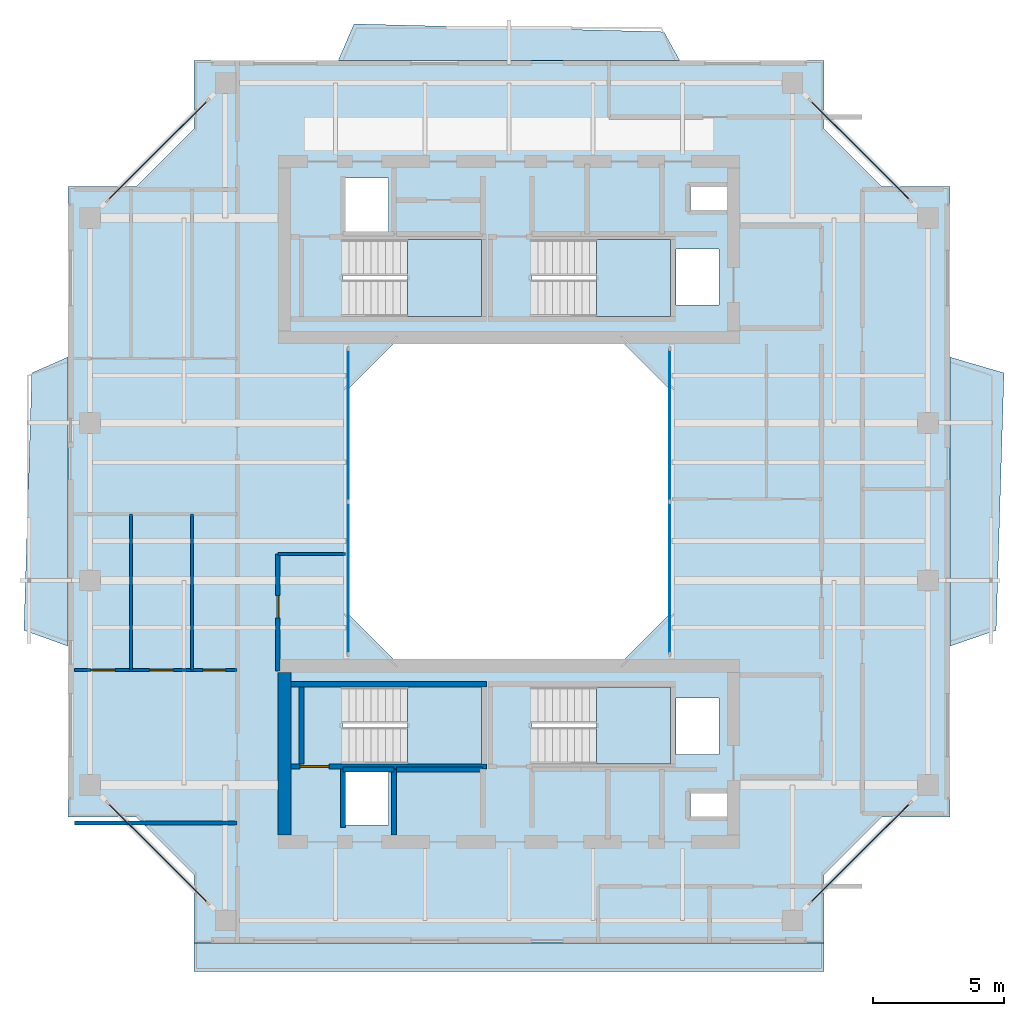
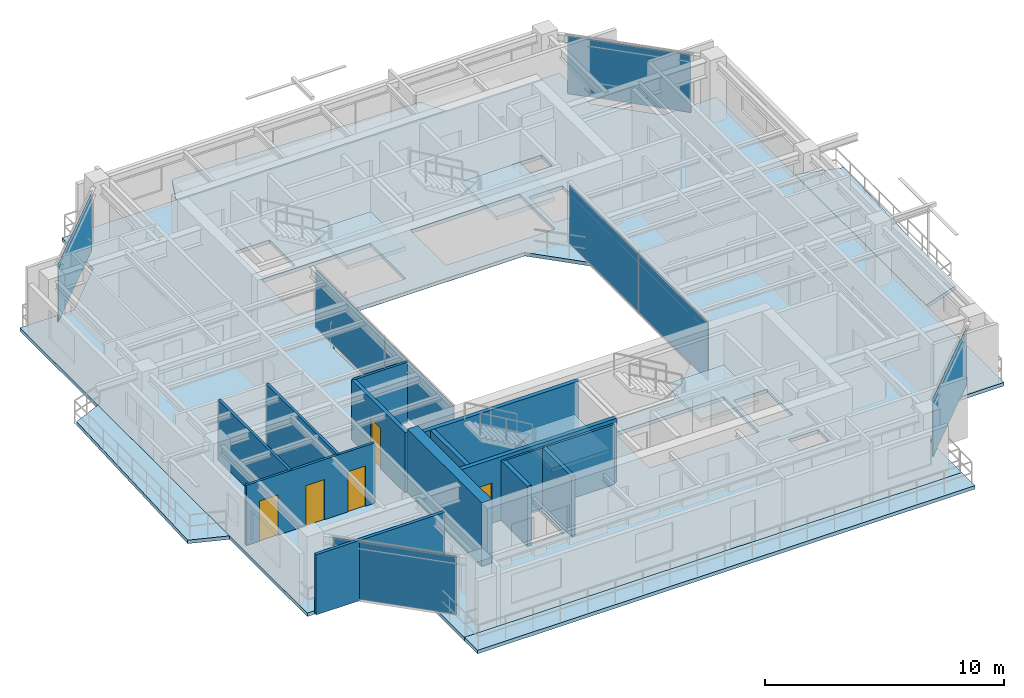
# One storey, part 9 of 16: 14 walls, 9 slabs, 8 plates, 5 doors, 5 openings, 10 elements without a shape of their own.
"""IFC4 building model written with IfcOpenShell, lengths in metres."""

from ifc_helpers import new_model, si_unit, direction, frame, frame_2d, origin, origin_2d, place, context, subcontext, project, spatial, polyline, rectangle, outline, extrude, source, transform, mapped, material, layer, layer_set, type_object, element, fill, aggregate, save


model = new_model("IFC4")

# Units and contexts
model_context = context("Model", 3, precision=1e-05, world=origin(), true_north=direction((0.0, 1.0)))
body_context = subcontext(model_context, "Body", "Model", "MODEL_VIEW")
ifc_project = project(units=[si_unit("LENGTHUNIT", "METRE"), si_unit("AREAUNIT", "SQUARE_METRE"), si_unit("VOLUMEUNIT", "CUBIC_METRE"), si_unit("PLANEANGLEUNIT", "RADIAN"), si_unit("MASSUNIT", "GRAM", prefix="KILO"), si_unit("THERMODYNAMICTEMPERATUREUNIT", "KELVIN"), si_unit("POWERUNIT", "WATT")], contexts=[model_context])

# Site, building, storey
site_placement = place(None, origin())
site = spatial("IfcSite", under=ifc_project, at=site_placement, CompositionType="ELEMENT")
building_placement = place(site_placement, origin())
building = spatial("IfcBuilding", under=site, at=building_placement, Name="Qiaomeng Ring Towers", CompositionType="ELEMENT")
storey_placement = place(building_placement, frame((0.0, 0.0, 190.5)))
storey = spatial("IfcBuildingStorey", under=building, at=storey_placement, Name="L55", CompositionType="ELEMENT", Elevation=190.5)

# Slabs
ifc_material_1 = material(Name="Concrete C40", Category="concrete")
ifc_layer_1 = layer(ifc_material_1, 0.179931640625, Name="Concrete C40")
ifc_layer_set_1 = layer_set([ifc_layer_1], Name="Concrete C40")
slab_type_1 = type_object("IfcSlabType", Name="STR-SL-180", PredefinedType="FLOOR", material=ifc_layer_set_1)
slab_1_placement = place(storey_placement, frame((0.0, 0.0, -0.179931640625)))
element("IfcSlab", 1, at=slab_1_placement, inside=storey, type_object=slab_type_1, Name="L55 Tower 1 Annular Floor Slab", PredefinedType="FLOOR", context=body_context, shape_type="SweptSolid", body=[
    extrude(outline(polyline([(7.0, 6.199951171875), (31.0, 6.199951171875), (31.0, 8.800048828125), (33.199951171875, 11.0), (35.800048828125, 11.0), (35.800048828125, 35.0), (33.199951171875, 35.0), (31.0, 37.199951171875), (31.0, 39.800048828125), (7.0, 39.800048828125), (7.0, 37.199951171875), (4.800048828125, 35.0), (2.199951171875, 35.0), (2.199951171875, 11.0), (4.800048828125, 11.0), (7.0, 8.800048828125), (7.0, 6.199951171875)]), holes=[polyline([(12.780029296875, 10.679931640625), (12.780029296875, 12.820068359375), (14.419921875, 12.820068359375), (14.419921875, 10.679931640625), (12.780029296875, 10.679931640625)]), polyline([(12.679931640625, 13.010009765625), (12.679931640625, 15.949951171875), (17.949951171875, 15.949951171875), (17.949951171875, 13.010009765625), (12.679931640625, 13.010009765625)]), polyline([(23.199951171875, 29.199951171875), (25.199951171875, 27.199951171875), (25.199951171875, 18.800048828125), (23.199951171875, 16.800048828125), (14.800048828125, 16.800048828125), (12.800048828125, 18.800048828125), (12.800048828125, 27.199951171875), (14.800048828125, 29.199951171875), (23.199951171875, 29.199951171875)]), polyline([(12.679931640625, 32.989990234375), (17.949951171875, 32.989990234375), (17.949951171875, 30.050048828125), (12.679931640625, 30.050048828125), (12.679931640625, 32.989990234375)]), polyline([(19.8798828125, 32.989990234375), (25.14990234375, 32.989990234375), (25.14990234375, 30.050048828125), (19.8798828125, 30.050048828125), (19.8798828125, 32.989990234375)]), polyline([(12.780029296875, 33.179931640625), (12.780029296875, 35.320068359375), (14.419921875, 35.320068359375), (14.419921875, 33.179931640625), (12.780029296875, 33.179931640625)]), polyline([(25.919921875, 11.89990234375), (27.360107421875, 11.89990234375), (27.360107421875, 11.0), (25.919921875, 11.0), (25.919921875, 11.89990234375)]), polyline([(25.360107421875, 15.52001953125), (27.0, 15.52001953125), (27.0, 13.3798828125), (25.360107421875, 13.3798828125), (25.360107421875, 15.52001953125)]), polyline([(19.8798828125, 13.010009765625), (19.8798828125, 15.949951171875), (25.14990234375, 15.949951171875), (25.14990234375, 13.010009765625), (19.8798828125, 13.010009765625)]), polyline([(25.360107421875, 32.6201171875), (27.0, 32.6201171875), (27.0, 30.47998046875), (25.360107421875, 30.47998046875), (25.360107421875, 32.6201171875)]), polyline([(25.919921875, 35.0), (27.360107421875, 35.0), (27.360107421875, 34.10009765625), (25.919921875, 34.10009765625), (25.919921875, 35.0)])]), origin(), (0.0, 0.0, 1.0), 0.179931640625),
])
ifc_layer_2 = layer(ifc_material_1, 0.179931640625, Name="Concrete C40")
ifc_layer_set_2 = layer_set([ifc_layer_2], Name="Concrete C40")
slab_type_2 = type_object("IfcSlabType", Name="STR-SL-BAL", PredefinedType="FLOOR", material=ifc_layer_set_2)
slab_2_placement = place(storey_placement, frame((0.0, 0.0, -0.179931640625)))
element("IfcSlab", 2, at=slab_2_placement, inside=storey, type_object=slab_type_2, Name="L55 Tower 1 E Faceted Balcony Slab", PredefinedType="FLOOR", context=body_context, shape_type="SweptSolid", body=[
    extrude(outline(polyline([(37.85009765625, 27.89990234375), (37.550048828125, 18.10009765625), (35.800048828125, 17.5), (35.800048828125, 28.5), (37.85009765625, 27.89990234375)])), origin(), (0.0, 0.0, 1.0), 0.179931640625),
])
slab_3_placement = place(storey_placement, frame((0.0, 0.0, -0.179931640625)))
element("IfcSlab", 3, at=slab_3_placement, inside=storey, type_object=slab_type_2, Name="L55 Tower 1 N Faceted Balcony Slab", PredefinedType="FLOOR", context=body_context, shape_type="SweptSolid", body=[
    extrude(outline(polyline([(12.5, 39.800048828125), (13.10009765625, 41.18994140625), (24.89990234375, 40.889892578125), (25.5, 39.800048828125), (12.5, 39.800048828125)])), origin(), (0.0, 0.0, 1.0), 0.179931640625),
])
slab_4_placement = place(storey_placement, frame((0.0, 0.0, -0.179931640625)))
element("IfcSlab", 4, at=slab_4_placement, inside=storey, type_object=slab_type_2, Name="L55 Tower 1 W Faceted Balcony Slab", PredefinedType="FLOOR", context=body_context, shape_type="SweptSolid", body=[
    extrude(outline(polyline([(0.530029296875, 18.10009765625), (0.830078125, 27.89990234375), (2.199951171875, 28.5), (2.199951171875, 17.5), (0.530029296875, 18.10009765625)])), origin(), (0.0, 0.0, 1.0), 0.179931640625),
])

# Stair, slab
ifc_material_2 = material(Name="Precast concrete C40", Category="concrete")
stair_type = type_object("IfcStairType", Name="ARC-ST-325", PredefinedType="HALF_TURN_STAIR", material=ifc_material_2)
stair_1_placement = place(storey_placement, origin())
stair_1 = element("IfcStair", 5, at=stair_1_placement, inside=storey, type_object=stair_type, Name="L55 Tower 1 North Stair 1", PredefinedType="HALF_TURN_STAIR")
ifc_layer_3 = layer(ifc_material_1, 0.199951171875, Name="Concrete C40")
ifc_layer_set_3 = layer_set([ifc_layer_3], Name="Concrete C40")
slab_type_3 = type_object("IfcSlabType", Name="STR-SL-LANDING", PredefinedType="LANDING", material=ifc_layer_set_3)
slab_5_placement = place(storey_placement, frame((0.0, 0.0, 1.425048828125)))
slab_5 = element("IfcSlab", 6, at=slab_5_placement, type_object=slab_type_3, Name="ST1 landing 1", PredefinedType="LANDING", context=body_context, shape_type="SweptSolid", body=[
    extrude(outline(polyline([(15.139892578125, 30.050048828125), (17.949951171875, 30.050048828125), (17.949951171875, 32.989990234375), (15.139892578125, 32.989990234375), (15.139892578125, 30.050048828125)])), origin(), (0.0, 0.0, 1.0), 0.199951171875),
])
aggregate(stair_1, [slab_5])

stair_2_placement = place(storey_placement, origin())
stair_2 = element("IfcStair", 7, at=stair_2_placement, inside=storey, type_object=stair_type, Name="L55 Tower 1 North Stair 2", PredefinedType="HALF_TURN_STAIR")
slab_6_placement = place(storey_placement, frame((0.0, 0.0, 1.425048828125)))
slab_6 = element("IfcSlab", 8, at=slab_6_placement, type_object=slab_type_3, Name="ST2 landing 1", PredefinedType="LANDING", context=body_context, shape_type="SweptSolid", body=[
    extrude(outline(polyline([(22.340087890625, 30.050048828125), (25.14990234375, 30.050048828125), (25.14990234375, 32.989990234375), (22.340087890625, 32.989990234375), (22.340087890625, 30.050048828125)])), origin(), (0.0, 0.0, 1.0), 0.199951171875),
])
aggregate(stair_2, [slab_6])

stair_3_placement = place(storey_placement, origin())
stair_3 = element("IfcStair", 9, at=stair_3_placement, inside=storey, type_object=stair_type, Name="L55 Tower 1 South Stair 3", PredefinedType="HALF_TURN_STAIR")
slab_7_placement = place(storey_placement, frame((0.0, 0.0, 1.425048828125)))
slab_7 = element("IfcSlab", 10, at=slab_7_placement, type_object=slab_type_3, Name="ST3 landing 1", PredefinedType="LANDING", context=body_context, shape_type="SweptSolid", body=[
    extrude(outline(polyline([(15.139892578125, 13.010009765625), (17.949951171875, 13.010009765625), (17.949951171875, 15.949951171875), (15.139892578125, 15.949951171875), (15.139892578125, 13.010009765625)])), origin(), (0.0, 0.0, 1.0), 0.199951171875),
])
aggregate(stair_3, [slab_7])

stair_4_placement = place(storey_placement, origin())
stair_4 = element("IfcStair", 11, at=stair_4_placement, inside=storey, type_object=stair_type, Name="L55 Tower 1 South Stair 4", PredefinedType="HALF_TURN_STAIR")
slab_8_placement = place(storey_placement, frame((0.0, 0.0, 1.425048828125)))
slab_8 = element("IfcSlab", 12, at=slab_8_placement, type_object=slab_type_3, Name="ST4 landing 1", PredefinedType="LANDING", context=body_context, shape_type="SweptSolid", body=[
    extrude(outline(polyline([(22.340087890625, 13.010009765625), (25.14990234375, 13.010009765625), (25.14990234375, 15.949951171875), (22.340087890625, 15.949951171875), (22.340087890625, 13.010009765625)])), origin(), (0.0, 0.0, 1.0), 0.199951171875),
])
aggregate(stair_4, [slab_8])

# Slab
ifc_layer_4 = layer(ifc_material_1, 0.179931640625, Name="Concrete C40")
ifc_layer_set_4 = layer_set([ifc_layer_4], Name="Concrete C40")
slab_type_4 = type_object("IfcSlabType", Name="STR-SL-TERR180", PredefinedType="FLOOR", material=ifc_layer_set_4)
slab_9_placement = place(storey_placement, frame((0.0, 0.0, -0.179931640625)))
element("IfcSlab", 13, at=slab_9_placement, inside=storey, type_object=slab_type_4, Name="L55 Tower 1 Setback Sky Terrace Slab", PredefinedType="FLOOR", context=body_context, shape_type="SweptSolid", body=[
    extrude(outline(polyline([(7.0, 5.10009765625), (7.0, 6.199951171875), (31.0, 6.199951171875), (31.0, 5.10009765625), (7.0, 5.10009765625)])), origin(), (0.0, 0.0, 1.0), 0.179931640625),
])

# Curtain wall, plates
ifc_material_3 = material(Name="Fluorocarbon dark-grey aluminium", Category="aluminium")
ifc_layer_5 = layer(ifc_material_3, 0.139892578125, Name="Fluorocarbon dark-grey aluminium")
ifc_layer_set_5 = layer_set([ifc_layer_5], Name="Fluorocarbon dark-grey aluminium")
curtain_wall_type_1 = type_object("IfcCurtainWallType", Name="ARC-CW-4", PredefinedType="NOTDEFINED", material=ifc_layer_set_5)
curtain_wall_1_placement = place(storey_placement, origin())
curtain_wall_1 = element("IfcCurtainWall", 14, at=curtain_wall_1_placement, inside=storey, type_object=curtain_wall_type_1, Name="L55 Curtain Wall CW4", PredefinedType="NOTDEFINED")
ifc_material_4 = material(Name="Low-E dark-grey laminated double glazing", Category="glass")
ifc_layer_6 = layer(ifc_material_4, 0.028076171875, Name="Low-E dark-grey laminated double glazing")
ifc_layer_set_6 = layer_set([ifc_layer_6], Name="Low-E dark-grey laminated double glazing")
plate_type = type_object("IfcPlateType", Name="ARC-CWP-DARK", PredefinedType="CURTAIN_PANEL", material=ifc_layer_set_6)
shared_shape_1 = source(origin(), body_context, "Body", "SweptSolid", [
    extrude(rectangle(XDim=5.75244140625, YDim=0.028076171875, at=origin_2d()), origin(), (0.0, 0.0, 1.0), 2.93994140625),
])
plate_1_placement = place(storey_placement, frame((12.8798828125, 20.09130859375, 0.06494140625), z_axis=(0.0, 0.0, 1.0), x_axis=(0.0, 1.0, 0.0)))
plate_1 = element("IfcPlate", 15, at=plate_1_placement, type_object=plate_type, Name="CW4 panel 1.1", PredefinedType="CURTAIN_PANEL", context=body_context, shape_type="MappedRepresentation", body=[
    mapped(shared_shape_1, transform((0.0, 0.0, 0.0), x_axis=(1.0, 0.0, 0.0), y_axis=(0.0, 1.0, 0.0), z_axis=(0.0, 0.0, 1.0), scale=1.0)),
])
plate_2_placement = place(storey_placement, frame((12.8798828125, 25.90869140625, 0.06494140625), z_axis=(0.0, 0.0, 1.0), x_axis=(0.0, 1.0, 0.0)))
plate_2 = element("IfcPlate", 16, at=plate_2_placement, type_object=plate_type, Name="CW4 panel 2.1", PredefinedType="CURTAIN_PANEL", context=body_context, shape_type="MappedRepresentation", body=[
    mapped(shared_shape_1, transform((0.0, 0.0, 0.0), x_axis=(1.0, 0.0, 0.0), y_axis=(0.0, 1.0, 0.0), z_axis=(0.0, 0.0, 1.0), scale=1.0)),
])
aggregate(curtain_wall_1, [plate_1, plate_2])

curtain_wall_2_placement = place(storey_placement, origin())
curtain_wall_2 = element("IfcCurtainWall", 17, at=curtain_wall_2_placement, inside=storey, type_object=curtain_wall_type_1, Name="L55 Curtain Wall CW4", PredefinedType="NOTDEFINED")
plate_3_placement = place(storey_placement, frame((25.1201171875, 20.09130859375, 0.06494140625), z_axis=(0.0, 0.0, 1.0), x_axis=(0.0, 1.0, 0.0)))
plate_3 = element("IfcPlate", 18, at=plate_3_placement, type_object=plate_type, Name="CW4 panel 1.1", PredefinedType="CURTAIN_PANEL", context=body_context, shape_type="MappedRepresentation", body=[
    mapped(shared_shape_1, transform((0.0, 0.0, 0.0), x_axis=(1.0, 0.0, 0.0), y_axis=(0.0, 1.0, 0.0), z_axis=(0.0, 0.0, 1.0), scale=1.0)),
])
plate_4_placement = place(storey_placement, frame((25.1201171875, 25.90869140625, 0.06494140625), z_axis=(0.0, 0.0, 1.0), x_axis=(0.0, 1.0, 0.0)))
plate_4 = element("IfcPlate", 19, at=plate_4_placement, type_object=plate_type, Name="CW4 panel 2.1", PredefinedType="CURTAIN_PANEL", context=body_context, shape_type="MappedRepresentation", body=[
    mapped(shared_shape_1, transform((0.0, 0.0, 0.0), x_axis=(1.0, 0.0, 0.0), y_axis=(0.0, 1.0, 0.0), z_axis=(0.0, 0.0, 1.0), scale=1.0)),
])
aggregate(curtain_wall_2, [plate_3, plate_4])

# Curtain wall, plate
ifc_layer_7 = layer(ifc_material_3, 0.14990234375, Name="Fluorocarbon dark-grey aluminium")
ifc_layer_set_7 = layer_set([ifc_layer_7], Name="Fluorocarbon dark-grey aluminium")
curtain_wall_type_2 = type_object("IfcCurtainWallType", Name="ARC-CW-3", PredefinedType="NOTDEFINED", material=ifc_layer_set_7)
curtain_wall_3_placement = place(storey_placement, origin())
curtain_wall_3 = element("IfcCurtainWall", 20, at=curtain_wall_3_placement, inside=storey, type_object=curtain_wall_type_2, Name="L55 Curtain Wall CW3", PredefinedType="NOTDEFINED")
shared_shape_2 = source(origin(), body_context, "Body", "SweptSolid", [
    extrude(rectangle(XDim=5.3330078125, YDim=0.028076171875, at=origin_2d()), origin(), (0.0, 0.0, 1.0), 2.93994140625),
])
plate_5_placement = place(storey_placement, frame((32.375, 9.625, 0.06494140625), z_axis=(0.0, 0.0, 1.0), x_axis=(0.707106781187, 0.707106781187, 0.0)))
plate_5 = element("IfcPlate", 21, at=plate_5_placement, type_object=plate_type, Name="CW3 panel 1.1", PredefinedType="CURTAIN_PANEL", context=body_context, shape_type="MappedRepresentation", body=[
    mapped(shared_shape_2, transform((0.0, 0.0, 0.0), x_axis=(1.0, 0.0, 0.0), y_axis=(0.0, 1.0, 0.0), z_axis=(0.0, 0.0, 1.0), scale=1.0)),
])
aggregate(curtain_wall_3, [plate_5])

curtain_wall_4_placement = place(storey_placement, origin())
curtain_wall_4 = element("IfcCurtainWall", 22, at=curtain_wall_4_placement, inside=storey, type_object=curtain_wall_type_2, Name="L55 Curtain Wall CW3", PredefinedType="NOTDEFINED")
plate_6_placement = place(storey_placement, frame((32.375, 36.375, 0.06494140625), z_axis=(0.0, 0.0, 1.0), x_axis=(-0.707106781187, 0.707106781187, 0.0)))
plate_6 = element("IfcPlate", 23, at=plate_6_placement, type_object=plate_type, Name="CW3 panel 1.1", PredefinedType="CURTAIN_PANEL", context=body_context, shape_type="MappedRepresentation", body=[
    mapped(shared_shape_2, transform((0.0, 0.0, 0.0), x_axis=(1.0, 0.0, 0.0), y_axis=(0.0, 1.0, 0.0), z_axis=(0.0, 0.0, 1.0), scale=1.0)),
])
aggregate(curtain_wall_4, [plate_6])

curtain_wall_5_placement = place(storey_placement, origin())
curtain_wall_5 = element("IfcCurtainWall", 24, at=curtain_wall_5_placement, inside=storey, type_object=curtain_wall_type_2, Name="L55 Curtain Wall CW3", PredefinedType="NOTDEFINED")
plate_7_placement = place(storey_placement, frame((5.625, 36.375, 0.06494140625), z_axis=(0.0, 0.0, 1.0), x_axis=(-0.707106781187, -0.707106781187, 0.0)))
plate_7 = element("IfcPlate", 25, at=plate_7_placement, type_object=plate_type, Name="CW3 panel 1.1", PredefinedType="CURTAIN_PANEL", context=body_context, shape_type="MappedRepresentation", body=[
    mapped(shared_shape_2, transform((0.0, 0.0, 0.0), x_axis=(1.0, 0.0, 0.0), y_axis=(0.0, 1.0, 0.0), z_axis=(0.0, 0.0, 1.0), scale=1.0)),
])
aggregate(curtain_wall_5, [plate_7])

curtain_wall_6_placement = place(storey_placement, origin())
curtain_wall_6 = element("IfcCurtainWall", 26, at=curtain_wall_6_placement, inside=storey, type_object=curtain_wall_type_2, Name="L55 Curtain Wall CW3", PredefinedType="NOTDEFINED")
plate_8_placement = place(storey_placement, frame((5.625, 9.625, 0.06494140625), z_axis=(0.0, 0.0, 1.0), x_axis=(0.707106781187, -0.707106781187, 0.0)))
plate_8 = element("IfcPlate", 27, at=plate_8_placement, type_object=plate_type, Name="CW3 panel 1.1", PredefinedType="CURTAIN_PANEL", context=body_context, shape_type="MappedRepresentation", body=[
    mapped(shared_shape_2, transform((0.0, 0.0, 0.0), x_axis=(1.0, 0.0, 0.0), y_axis=(0.0, 1.0, 0.0), z_axis=(0.0, 0.0, 1.0), scale=1.0)),
])
aggregate(curtain_wall_6, [plate_8])

# Walls
ifc_material_5 = material(Name="Autoclaved aerated concrete block", Category="concrete")
ifc_layer_8 = layer(ifc_material_5, 0.199951171875, Name="Autoclaved aerated concrete block")
ifc_layer_set_8 = layer_set([ifc_layer_8], Name="Autoclaved aerated concrete block")
wall_type_1 = type_object("IfcWallType", Name="ARC-WL-PW1", PredefinedType="PARTITIONING", material=ifc_layer_set_8)
wall_1_placement = place(storey_placement, frame((12.679931640625, 10.60009765625, 0.0), z_axis=(0.0, 0.0, 1.0), x_axis=(0.0, 1.0, 0.0)))
element("IfcWall", 28, at=wall_1_placement, inside=storey, type_object=wall_type_1, Name="L55 Interior Wall PW1", PredefinedType="PARTITIONING", context=body_context, shape_type="SweptSolid", body=[
    extrude(rectangle(XDim=2.2099609375, YDim=0.199951171875, at=frame_2d((1.10498046875, 0.0))), origin(), (0.0, 0.0, 1.0), 3.070068359375),
])
wall_2_placement = place(storey_placement, frame((14.719970703125, 12.800048828125, 0.0), z_axis=(0.0, 0.0, 1.0), x_axis=(1.0, 0.0, 0.0)))
element("IfcWall", 29, at=wall_2_placement, inside=storey, type_object=wall_type_1, Name="L55 Interior Wall PW1", PredefinedType="PARTITIONING", context=body_context, shape_type="SweptSolid", body=[
    extrude(rectangle(XDim=3.280029296875, YDim=0.199951171875, at=frame_2d((1.64013671875, 0.0))), origin(), (0.0, 0.0, 1.0), 3.070068359375),
])

# Wall, opening, door
ifc_layer_9 = layer(ifc_material_5, 0.179931640625, Name="Autoclaved aerated concrete block")
ifc_layer_set_9 = layer_set([ifc_layer_9], Name="Autoclaved aerated concrete block")
wall_type_2 = type_object("IfcWallType", Name="ARC-WL-PW2", PredefinedType="PARTITIONING", material=ifc_layer_set_9)
wall_3_placement = place(storey_placement, frame((10.199951171875, 16.550048828125, 0.0), z_axis=(0.0, 0.0, 1.0), x_axis=(0.0, 1.0, 0.0)))
wall_3 = element("IfcWall", 30, at=wall_3_placement, inside=storey, type_object=wall_type_2, Name="L55 Interior Wall PW2", PredefinedType="PARTITIONING", context=body_context, shape_type="SweptSolid", body=[
    extrude(rectangle(XDim=4.449951171875, YDim=0.179931640625, at=frame_2d((2.22509765625, 0.0))), origin(), (0.0, 0.0, 1.0), 3.070068359375),
])
opening_1_placement = place(wall_3_placement, frame((2.02490234375, 0.0, 0.0)))
opening_1 = element("IfcOpeningElement", 31, at=opening_1_placement, cuts=wall_3, Name="Opening ID2", PredefinedType="OPENING", context=body_context, shape_type="SweptSolid", body=[
    extrude(rectangle(XDim=0.85009765625, YDim=2.050048828125, at=frame_2d((0.425048828125, 1.02490234375))), frame((0.0, 0.099853515625, 0.0), z_axis=(0.0, -1.0, 0.0), x_axis=(1.0, 0.0, 0.0)), (0.0, 0.0, 1.0), 0.199951171875),
])
ifc_material_6 = material(Name="Moisture-resistant engineered timber", Category="wood")
door_type_1 = type_object("IfcDoorType", Name="ARC-DR-ID2", OperationType="NOTDEFINED", PredefinedType="DOOR", material=ifc_material_6)
shared_shape_3 = source(origin(), body_context, "Body", "SweptSolid", [
    extrude(rectangle(XDim=0.85009765625, YDim=2.050048828125, at=frame_2d((0.425048828125, 1.02490234375))), frame((0.0, 0.02490234375, 0.0), z_axis=(0.0, -1.0, 0.0), x_axis=(1.0, 0.0, 0.0)), (0.0, 0.0, 1.0), 0.050048828125),
])
door_1_placement = place(opening_1_placement, origin())
door_1 = element("IfcDoor", 32, at=door_1_placement, inside=storey, type_object=door_type_1, Name="L55 Door ID2", OperationType="SINGLE_SWING_LEFT", OverallHeight=2.050048828125, OverallWidth=0.85009765625, PredefinedType="DOOR", context=body_context, shape_type="MappedRepresentation", body=[
    mapped(shared_shape_3, transform((0.0, 0.0, 0.0), x_axis=(1.0, 0.0, 0.0), y_axis=(0.0, 1.0, 0.0), z_axis=(0.0, 0.0, 1.0), scale=1.0)),
])
fill(opening_1, door_1)

# Wall
ifc_material_7 = material(Name="Gypsum fireboard steel-stud partition", Category="steel")
ifc_layer_10 = layer(ifc_material_7, 0.14990234375, Name="Gypsum fireboard steel-stud partition")
ifc_layer_set_10 = layer_set([ifc_layer_10], Name="Gypsum fireboard steel-stud partition")
wall_type_3 = type_object("IfcWallType", Name="ARC-WL-PW3", PredefinedType="PARTITIONING", material=ifc_layer_set_10)
wall_4_placement = place(storey_placement, frame((2.449951171875, 10.77001953125, 0.0), z_axis=(0.0, 0.0, 1.0), x_axis=(1.0, 0.0, 0.0)))
element("IfcWall", 33, at=wall_4_placement, inside=storey, type_object=wall_type_3, Name="L55 Interior Wall PW3", PredefinedType="PARTITIONING", context=body_context, shape_type="SweptSolid", body=[
    extrude(rectangle(XDim=6.199951171875, YDim=0.14990234375, at=frame_2d((3.10009765625, 0.0))), origin(), (0.0, 0.0, 1.0), 3.070068359375),
])

# Wall, openings, doors
ifc_material_8 = material(Name="Moisture-resistant gypsum steel-stud partition", Category="steel")
ifc_layer_11 = layer(ifc_material_8, 0.1201171875, Name="Moisture-resistant gypsum steel-stud partition")
ifc_layer_set_11 = layer_set([ifc_layer_11], Name="Moisture-resistant gypsum steel-stud partition")
wall_type_4 = type_object("IfcWallType", Name="ARC-WL-PW4", PredefinedType="PLUMBINGWALL", material=ifc_layer_set_11)
wall_5_placement = place(storey_placement, frame((2.449951171875, 16.590087890625, 0.0), z_axis=(0.0, 0.0, 1.0), x_axis=(1.0, 0.0, 0.0)))
wall_5 = element("IfcWall", 34, at=wall_5_placement, inside=storey, type_object=wall_type_4, Name="L55 Interior Wall PW4", PredefinedType="PLUMBINGWALL", context=body_context, shape_type="SweptSolid", body=[
    extrude(rectangle(XDim=6.199951171875, YDim=0.1201171875, at=frame_2d((3.10009765625, 0.0))), origin(), (0.0, 0.0, 1.0), 3.070068359375),
])
opening_2_placement = place(wall_5_placement, frame((0.639892578125, 0.0, 0.0)))
opening_2 = element("IfcOpeningElement", 35, at=opening_2_placement, cuts=wall_5, Name="Opening ID1", PredefinedType="OPENING", context=body_context, shape_type="SweptSolid", body=[
    extrude(rectangle(XDim=0.89990234375, YDim=2.050048828125, at=frame_2d((0.449951171875, 1.02490234375))), frame((0.0, 0.070068359375, 0.0), z_axis=(0.0, -1.0, 0.0), x_axis=(1.0, 0.0, 0.0)), (0.0, 0.0, 1.0), 0.14013671875),
])
opening_3_placement = place(wall_5_placement, frame((2.8701171875, 0.0, 0.0)))
opening_3 = element("IfcOpeningElement", 36, at=opening_3_placement, cuts=wall_5, Name="Opening ID1", PredefinedType="OPENING", context=body_context, shape_type="SweptSolid", body=[
    extrude(rectangle(XDim=0.89990234375, YDim=2.050048828125, at=frame_2d((0.449951171875, 1.02490234375))), frame((0.0, 0.070068359375, 0.0), z_axis=(0.0, -1.0, 0.0), x_axis=(1.0, 0.0, 0.0)), (0.0, 0.0, 1.0), 0.14013671875),
])
opening_4_placement = place(wall_5_placement, frame((4.905029296875, 0.0, 0.0)))
opening_4 = element("IfcOpeningElement", 37, at=opening_4_placement, cuts=wall_5, Name="Opening ID2", PredefinedType="OPENING", context=body_context, shape_type="SweptSolid", body=[
    extrude(rectangle(XDim=0.85009765625, YDim=2.050048828125, at=frame_2d((0.425048828125, 1.02490234375))), frame((0.0, 0.070068359375, 0.0), z_axis=(0.0, -1.0, 0.0), x_axis=(1.0, 0.0, 0.0)), (0.0, 0.0, 1.0), 0.14013671875),
])
door_2_placement = place(opening_4_placement, origin())
door_2 = element("IfcDoor", 38, at=door_2_placement, inside=storey, type_object=door_type_1, Name="L55 Door ID2", OperationType="SINGLE_SWING_LEFT", OverallHeight=2.050048828125, OverallWidth=0.85009765625, PredefinedType="DOOR", context=body_context, shape_type="MappedRepresentation", body=[
    mapped(shared_shape_3, transform((0.0, 0.0, 0.0), x_axis=(1.0, 0.0, 0.0), y_axis=(0.0, 1.0, 0.0), z_axis=(0.0, 0.0, 1.0), scale=1.0)),
])
fill(opening_4, door_2)
ifc_material_9 = material(Name="Engineered oak timber", Category="wood")
door_type_2 = type_object("IfcDoorType", Name="ARC-DR-ID1", OperationType="NOTDEFINED", PredefinedType="DOOR", material=ifc_material_9)
shared_shape_4 = source(origin(), body_context, "Body", "SweptSolid", [
    extrude(rectangle(XDim=0.89990234375, YDim=2.050048828125, at=frame_2d((0.449951171875, 1.02490234375))), frame((0.0, 0.02490234375, 0.0), z_axis=(0.0, -1.0, 0.0), x_axis=(1.0, 0.0, 0.0)), (0.0, 0.0, 1.0), 0.050048828125),
])
door_3_placement = place(opening_2_placement, origin())
door_3 = element("IfcDoor", 39, at=door_3_placement, inside=storey, type_object=door_type_2, Name="L55 Door ID1", OperationType="SINGLE_SWING_LEFT", OverallHeight=2.050048828125, OverallWidth=0.89990234375, PredefinedType="DOOR", context=body_context, shape_type="MappedRepresentation", body=[
    mapped(shared_shape_4, transform((0.0, 0.0, 0.0), x_axis=(1.0, 0.0, 0.0), y_axis=(0.0, 1.0, 0.0), z_axis=(0.0, 0.0, 1.0), scale=1.0)),
])
fill(opening_2, door_3)
door_4_placement = place(opening_3_placement, origin())
door_4 = element("IfcDoor", 40, at=door_4_placement, inside=storey, type_object=door_type_2, Name="L55 Door ID1", OperationType="SINGLE_SWING_RIGHT", OverallHeight=2.050048828125, OverallWidth=0.89990234375, PredefinedType="DOOR", context=body_context, shape_type="MappedRepresentation", body=[
    mapped(shared_shape_4, transform((0.0, 0.0, 0.0), x_axis=(1.0, 0.0, 0.0), y_axis=(0.0, 1.0, 0.0), z_axis=(0.0, 0.0, 1.0), scale=1.0)),
])
fill(opening_3, door_4)

# Walls
for number, where, z_axis, x_axis, name in (
    (41, (4.610107421875, 16.590087890625, 0.0), (0.0, 0.0, 1.0), (0.0, 1.0, 0.0), "L55 Interior Wall PW4"),
    (42, (6.929931640625, 16.590087890625, 0.0), (0.0, 0.0, 1.0), (0.0, 1.0, 0.0), "L55 Interior Wall PW4"),
):
    element("IfcWall", number, at=place(storey_placement, frame(where, z_axis=z_axis, x_axis=x_axis)), inside=storey, type_object=wall_type_4, Name=name, PredefinedType="PLUMBINGWALL", context=body_context, shape_type="SweptSolid", body=[
        extrude(rectangle(XDim=5.929931640625, YDim=0.1201171875, at=frame_2d((2.96484375, 0.0))), origin(), (0.0, 0.0, 1.0), 3.070068359375),
    ])
wall_6_placement = place(storey_placement, frame((10.199951171875, 21.0, 0.0), z_axis=(0.0, 0.0, 1.0), x_axis=(1.0, 0.0, 0.0)))
element("IfcWall", 43, at=wall_6_placement, inside=storey, type_object=wall_type_4, Name="L55 Interior Wall PW4", PredefinedType="PLUMBINGWALL", context=body_context, shape_type="SweptSolid", body=[
    extrude(rectangle(XDim=2.580078125, YDim=0.1201171875, at=frame_2d((1.2900390625, 0.0))), origin(), (0.0, 0.0, 1.0), 3.070068359375),
])
ifc_layer_12 = layer(ifc_material_1, 0.199951171875, Name="Concrete C40")
ifc_layer_set_12 = layer_set([ifc_layer_12], Name="Concrete C40")
wall_type_5 = type_object("IfcWallType", Name="STR-WL-STSHAFT", PredefinedType="SHEAR", material=ifc_layer_set_12)
wall_7_placement = place(storey_placement, frame((12.679931640625, 12.800048828125, 0.0), z_axis=(0.0, 0.0, 1.0), x_axis=(1.0, 0.0, 0.0)))
element("IfcWall", 44, at=wall_7_placement, inside=storey, type_object=wall_type_5, Name="L55 Lift LP6 Shaft Back Wall", PredefinedType="SHEAR", context=body_context, shape_type="SweptSolid", body=[
    extrude(rectangle(XDim=1.940185546875, YDim=0.179931640625, at=frame_2d((0.97021484375, 0.0))), origin(), (0.0, 0.0, 1.0), 3.070068359375),
])
wall_8_placement = place(storey_placement, frame((14.6201171875, 10.300048828125, 0.0), z_axis=(0.0, 0.0, 1.0), x_axis=(0.0, 1.0, 0.0)))
element("IfcWall", 45, at=wall_8_placement, inside=storey, type_object=wall_type_5, Name="L55 Lift LP6-LP4 Shaft Divider Wall", PredefinedType="SHEAR", context=body_context, shape_type="SweptSolid", body=[
    extrude(rectangle(XDim=2.5, YDim=0.179931640625, at=frame_2d((1.25, 0.0))), origin(), (0.0, 0.0, 1.0), 3.070068359375),
])

# Wall, opening, door
wall_9_placement = place(storey_placement, frame((10.699951171875, 12.909912109375, 0.0), z_axis=(0.0, 0.0, 1.0), x_axis=(1.0, 0.0, 0.0)))
wall_9 = element("IfcWall", 46, at=wall_9_placement, inside=storey, type_object=wall_type_5, Name="L55 Stair ST3 South Shaft Shear Wall", PredefinedType="SHEAR", context=body_context, shape_type="SweptSolid", body=[
    extrude(rectangle(XDim=7.449951171875, YDim=0.199951171875, at=frame_2d((3.72509765625, 0.0))), origin(), (0.0, 0.0, 1.0), 3.25),
])
opening_5_placement = place(wall_9_placement, frame((0.35009765625, 0.0, 0.0)))
opening_5 = element("IfcOpeningElement", 47, at=opening_5_placement, cuts=wall_9, Name="Opening FD3", PredefinedType="OPENING", context=body_context, shape_type="SweptSolid", body=[
    extrude(rectangle(XDim=1.10009765625, YDim=2.050048828125, at=frame_2d((0.550048828125, 1.02490234375))), frame((0.0, 0.10986328125, 0.0), z_axis=(0.0, -1.0, 0.0), x_axis=(1.0, 0.0, 0.0)), (0.0, 0.0, 1.0), 0.219970703125),
])
ifc_material_10 = material(Name="Galvanised steel", Category="steel")
door_type_3 = type_object("IfcDoorType", Name="ARC-DR-FD3", OperationType="NOTDEFINED", PredefinedType="DOOR", material=ifc_material_10)
shared_shape_5 = source(origin(), body_context, "Body", "SweptSolid", [
    extrude(rectangle(XDim=1.10009765625, YDim=2.050048828125, at=frame_2d((0.550048828125, 1.02490234375))), frame((0.0, 0.02490234375, 0.0), z_axis=(0.0, -1.0, 0.0), x_axis=(1.0, 0.0, 0.0)), (0.0, 0.0, 1.0), 0.050048828125),
])
door_5_placement = place(opening_5_placement, frame((1.10009765625, 0.0, 0.0), z_axis=(0.0, 0.0, 1.0), x_axis=(-1.0, 0.0, 0.0)))
door_5 = element("IfcDoor", 48, at=door_5_placement, inside=storey, type_object=door_type_3, Name="L55 Stair ST3 Exit Door", OperationType="SINGLE_SWING_RIGHT", OverallHeight=2.050048828125, OverallWidth=1.10009765625, PredefinedType="DOOR", context=body_context, shape_type="MappedRepresentation", body=[
    mapped(shared_shape_5, transform((0.0, 0.0, 0.0), x_axis=(1.0, 0.0, 0.0), y_axis=(0.0, 1.0, 0.0), z_axis=(0.0, 0.0, 1.0), scale=1.0)),
])
fill(opening_5, door_5)

# Walls
wall_10_placement = place(storey_placement, frame((10.699951171875, 16.050048828125, 0.0), z_axis=(0.0, 0.0, 1.0), x_axis=(1.0, 0.0, 0.0)))
element("IfcWall", 49, at=wall_10_placement, inside=storey, type_object=wall_type_5, Name="L55 Stair ST3 North Shaft Shear Wall", PredefinedType="SHEAR", context=body_context, shape_type="SweptSolid", body=[
    extrude(rectangle(XDim=7.449951171875, YDim=0.199951171875, at=frame_2d((3.72509765625, 0.0))), origin(), (0.0, 0.0, 1.0), 3.25),
])
wall_11_placement = place(storey_placement, frame((11.10009765625, 13.010009765625, 0.0), z_axis=(0.0, 0.0, 1.0), x_axis=(0.0, 1.0, 0.0)))
element("IfcWall", 50, at=wall_11_placement, inside=storey, type_object=wall_type_5, Name="L55 Stair ST3 West Shaft Shear Wall", PredefinedType="SHEAR", context=body_context, shape_type="SweptSolid", body=[
    extrude(rectangle(XDim=2.93994140625, YDim=0.199951171875, at=frame_2d((1.469970703125, 0.0))), origin(), (0.0, 0.0, 1.0), 3.25),
])
ifc_layer_13 = layer(ifc_material_1, 0.5, Name="Concrete C40")
ifc_layer_set_13 = layer_set([ifc_layer_13], Name="Concrete C40")
wall_type_6 = type_object("IfcWallType", Name="STR-WL-SW3", PredefinedType="SHEAR", material=ifc_layer_set_13)
wall_12_placement = place(storey_placement, frame((10.449951171875, 10.300048828125, 0.0), z_axis=(0.0, 0.0, 1.0), x_axis=(0.0, 1.0, 0.0)))
element("IfcWall", 51, at=wall_12_placement, inside=storey, type_object=wall_type_6, Name="L55 T1SC west core shear wall", PredefinedType="SHEAR", context=body_context, shape_type="SweptSolid", body=[
    extrude(rectangle(XDim=6.199951171875, YDim=0.5, at=frame_2d((3.10009765625, 0.0))), origin(), (0.0, 0.0, 1.0), 3.25),
])

save(model, "model.ifc")
